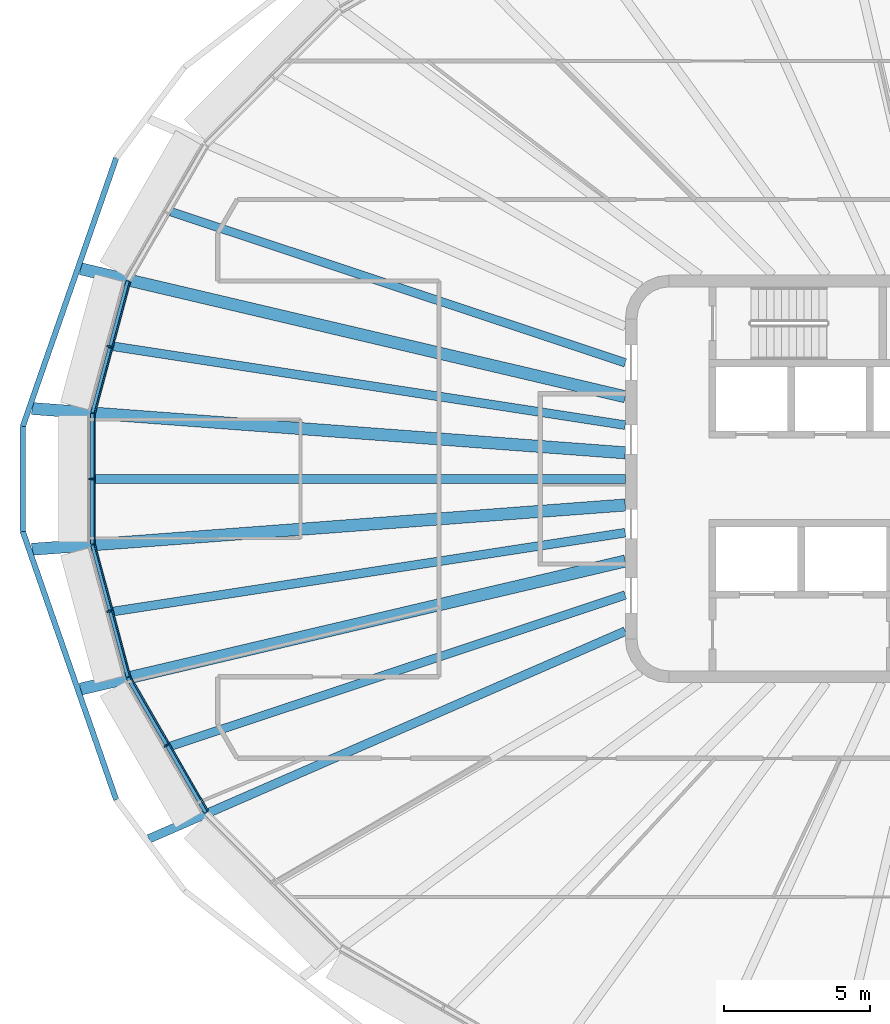
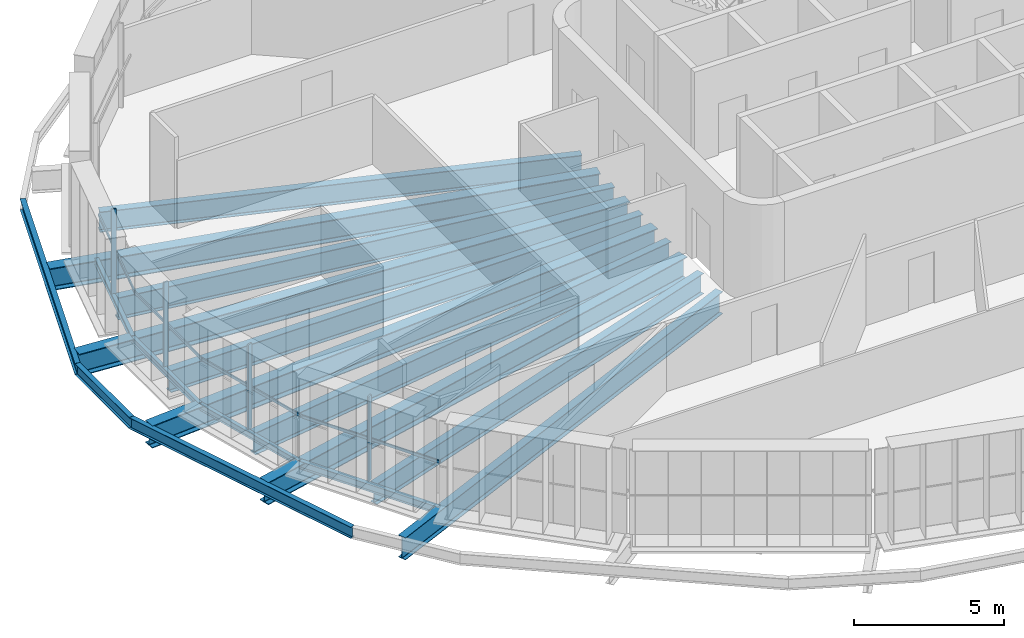
# One storey, part 2 of 20: 17 beams, 8 members, 4 elements without a shape of their own.
"""IFC4 building model written with IfcOpenShell, lengths in metres."""

from ifc_helpers import new_model, si_unit, direction, frame, origin, origin_2d, place, context, subcontext, project, spatial, rectangle, i_section, extrude, material, layer, layer_set, material_profile, profile_set, type_object, element, aggregate, save


model = new_model("IFC4")

# Units and contexts
model_context = context("Model", 3, precision=1e-05, world=origin(), true_north=direction((0.0, 1.0)))
body_context = subcontext(model_context, "Body", "Model", "MODEL_VIEW")
ifc_project = project(units=[si_unit("LENGTHUNIT", "METRE"), si_unit("AREAUNIT", "SQUARE_METRE"), si_unit("VOLUMEUNIT", "CUBIC_METRE"), si_unit("PLANEANGLEUNIT", "RADIAN"), si_unit("MASSUNIT", "GRAM", prefix="KILO")], contexts=[model_context])

# Site, building, storey
site_placement = place(None, origin())
site = spatial("IfcSite", under=ifc_project, at=site_placement, CompositionType="ELEMENT")
building_placement = place(site_placement, origin())
building = spatial("IfcBuilding", under=site, at=building_placement, Name="Sahrelin Media Tower", CompositionType="ELEMENT")
storey_placement = place(building_placement, frame((0.0, 0.0, 245.60009765625)))
storey = spatial("IfcBuildingStorey", under=building, at=storey_placement, Name="L53", CompositionType="ELEMENT", Elevation=245.60009765625)

# Beams
ifc_material_1 = material(Name="Steel S355", Category="steel")
ifc_material_profile_1 = material_profile(ifc_material_1, i_section(OverallWidth=0.14599609375, OverallDepth=0.25146484375, WebThickness=0.006103515625, FlangeThickness=0.008544921875, FilletRadius=0.007568359375, at=origin_2d()), Name="UB 254x146x31")
ifc_profile_set_1 = profile_set([ifc_material_profile_1], Name="Steel S355")
beam_type_1 = type_object("IfcBeamType", Name="Edge beam EB1", PredefinedType="BEAM", material=ifc_profile_set_1)
beam_1_placement = place(storey_placement, frame((-29.082763671875, -6.798095703125, -0.27587890625), z_axis=(-0.258770785767, 0.965938756047, 0.0), x_axis=(-0.965938756047, -0.258770785767, 0.0)))
element("IfcBeam", 1, at=beam_1_placement, inside=storey, type_object=beam_type_1, Name="Edge beam L53-12", PredefinedType="BEAM", context=body_context, shape_type="SweptSolid", body=[
    extrude(i_section(OverallWidth=0.14599609375, OverallDepth=0.25146484375, WebThickness=0.006103515625, FlangeThickness=0.008544921875, FilletRadius=0.007568359375, at=origin_2d()), origin(), (0.0, 0.0, 1.0), 4.68896484375),
])
beam_2_placement = place(storey_placement, frame((-30.300048828125, -2.240234375, -0.27587890625), z_axis=(0.0, 1.0, 0.0), x_axis=(-1.0, 0.0, 0.0)))
element("IfcBeam", 2, at=beam_2_placement, inside=storey, type_object=beam_type_1, Name="Edge beam L53-13", PredefinedType="BEAM", context=body_context, shape_type="SweptSolid", body=[
    extrude(i_section(OverallWidth=0.14599609375, OverallDepth=0.25146484375, WebThickness=0.006103515625, FlangeThickness=0.008544921875, FilletRadius=0.007568359375, at=origin_2d()), origin(), (0.0, 0.0, 1.0), 4.48046875),
])
beam_3_placement = place(storey_placement, frame((-30.296142578125, 2.268798828125, -0.27587890625), z_axis=(0.258770785767, 0.965938756047, 0.0), x_axis=(-0.965938756047, 0.258770785767, 0.0)))
element("IfcBeam", 3, at=beam_3_placement, inside=storey, type_object=beam_type_1, Name="Edge beam L53-14", PredefinedType="BEAM", context=body_context, shape_type="SweptSolid", body=[
    extrude(i_section(OverallWidth=0.14599609375, OverallDepth=0.25146484375, WebThickness=0.006103515625, FlangeThickness=0.008544921875, FilletRadius=0.007568359375, at=origin_2d()), origin(), (0.0, 0.0, 1.0), 4.68896484375),
])
ifc_material_profile_2 = material_profile(ifc_material_1, i_section(OverallWidth=0.1650390625, OverallDepth=0.303466796875, WebThickness=0.006103515625, FlangeThickness=0.01025390625, FilletRadius=0.0087890625, at=origin_2d()), Name="UB 305x165x40")
ifc_profile_set_2 = profile_set([ifc_material_profile_2], Name="Steel S355")
beam_type_2 = type_object("IfcBeamType", Name="Edge beam EB2", PredefinedType="BEAM", material=ifc_profile_set_2)
beam_4_placement = place(storey_placement, frame((-26.399169921875, -11.453369140625, -0.3017578125), z_axis=(-0.500034814518, 0.86600530268, 0.0), x_axis=(-0.86600530268, -0.500034814518, 0.0)))
element("IfcBeam", 4, at=beam_4_placement, inside=storey, type_object=beam_type_2, Name="Edge beam L53-11", PredefinedType="BEAM", context=body_context, shape_type="SweptSolid", body=[
    extrude(i_section(OverallWidth=0.1650390625, OverallDepth=0.303466796875, WebThickness=0.006103515625, FlangeThickness=0.01025390625, FilletRadius=0.0087890625, at=origin_2d()), origin(), (0.0, 0.0, 1.0), 5.3447265625),
])

# Curtain wall, member
ifc_material_2 = material(Name="Champagne anodised aluminium 6063-T6", Category="aluminium")
ifc_layer = layer(ifc_material_2, 0.14990234375)
ifc_layer_set = layer_set([ifc_layer], Name="Tower ribbon curtain wall")
curtain_wall_type = type_object("IfcCurtainWallType", Name="Tower ribbon curtain wall", PredefinedType="NOTDEFINED", material=ifc_layer_set)
curtain_wall_1_placement = place(storey_placement, frame((-29.83447265625, 4.572265625, 0.0), z_axis=(0.0, 0.0, 1.0), x_axis=(1.0, 0.0, 0.0)))
curtain_wall_1 = element("IfcCurtainWall", 5, at=curtain_wall_1_placement, inside=storey, type_object=curtain_wall_type, Name="L53:CW:L53-11", PredefinedType="NOTDEFINED")
ifc_material_profile_3 = material_profile(ifc_material_2, rectangle(XDim=0.06005859375, YDim=0.175048828125, at=origin_2d()), Name="Mullion 60x175")
ifc_profile_set_3 = profile_set([ifc_material_profile_3], Name="Champagne anodised aluminium 6063-T6")
member_type_1 = type_object("IfcMemberType", Name="Mullion 60x175 CW1B", PredefinedType="MULLION", material=ifc_profile_set_3)
member_1_placement = place(storey_placement, frame((-29.73046875, 4.54443359375, 0.0), z_axis=(0.0, 0.0, 1.0), x_axis=(-0.258812301662, -0.965927633163, 0.0)))
member_1 = element("IfcMember", 6, at=member_1_placement, type_object=member_type_1, Name="L53:CWM:L53-11", PredefinedType="MULLION", context=body_context, shape_type="SweptSolid", body=[
    extrude(rectangle(XDim=0.06005859375, YDim=0.175048828125, at=origin_2d()), origin(), (0.0, 0.0, 1.0), 3.448486328125),
])

curtain_wall_2_placement = place(storey_placement, frame((-30.449951171875, 0.0, 0.0), z_axis=(0.0, 0.0, 1.0), x_axis=(1.0, 0.0, 0.0)))
curtain_wall_2 = element("IfcCurtainWall", 7, at=curtain_wall_2_placement, inside=storey, type_object=curtain_wall_type, Name="L53:CW:L53-12", PredefinedType="NOTDEFINED")
member_2_placement = place(storey_placement, frame((-30.342529296875, 0.0, 0.0), z_axis=(0.0, 0.0, 1.0), x_axis=(0.0, -1.0, 0.0)))
member_2 = element("IfcMember", 8, at=member_2_placement, type_object=member_type_1, Name="L53:CWM:L53-12", PredefinedType="MULLION", context=body_context, shape_type="SweptSolid", body=[
    extrude(rectangle(XDim=0.06005859375, YDim=0.175048828125, at=origin_2d()), origin(), (0.0, 0.0, 1.0), 3.448486328125),
])

curtain_wall_3_placement = place(storey_placement, frame((-29.834228515625, -4.572265625, 0.0), z_axis=(0.0, 0.0, 1.0), x_axis=(1.0, 0.0, 0.0)))
curtain_wall_3 = element("IfcCurtainWall", 9, at=curtain_wall_3_placement, inside=storey, type_object=curtain_wall_type, Name="L53:CW:L53-13", PredefinedType="NOTDEFINED")
member_3_placement = place(storey_placement, frame((-29.73046875, -4.54443359375, 0.0), z_axis=(0.0, 0.0, 1.0), x_axis=(0.258812301662, -0.965927633163, 0.0)))
member_3 = element("IfcMember", 10, at=member_3_placement, type_object=member_type_1, Name="L53:CWM:L53-13", PredefinedType="MULLION", context=body_context, shape_type="SweptSolid", body=[
    extrude(rectangle(XDim=0.06005859375, YDim=0.175048828125, at=origin_2d()), origin(), (0.0, 0.0, 1.0), 3.448486328125),
])

curtain_wall_4_placement = place(storey_placement, frame((-27.865234375, -9.214111328125, 0.0), z_axis=(0.0, 0.0, 1.0), x_axis=(1.0, 0.0, 0.0)))
curtain_wall_4 = element("IfcCurtainWall", 11, at=curtain_wall_4_placement, inside=storey, type_object=curtain_wall_type, Name="L53:CW:L53-14", PredefinedType="NOTDEFINED")
member_4_placement = place(storey_placement, frame((-27.772216796875, -9.16015625, 0.0), z_axis=(0.0, 0.0, 1.0), x_axis=(0.500009068969, -0.866020167749, 0.0)))
member_4 = element("IfcMember", 12, at=member_4_placement, type_object=member_type_1, Name="L53:CWM:L53-14", PredefinedType="MULLION", context=body_context, shape_type="SweptSolid", body=[
    extrude(rectangle(XDim=0.06005859375, YDim=0.175048828125, at=origin_2d()), origin(), (0.0, 0.0, 1.0), 3.448486328125),
])

# Beams
ifc_material_profile_4 = material_profile(ifc_material_1, i_section(OverallWidth=0.30322265625, OverallDepth=0.903076171875, WebThickness=0.01513671875, FlangeThickness=0.020263671875, FilletRadius=0.01904296875, at=origin_2d()), Name="UB 914x305x201")
ifc_profile_set_4 = profile_set([ifc_material_profile_4], Name="Steel S355")
beam_type_3 = type_object("IfcBeamType", Name="Radial primary beam PB11", PredefinedType="BEAM", material=ifc_profile_set_4)
beam_5_placement = place(storey_placement, frame((-12.0, -5.2314453125, -0.6015625), z_axis=(-0.916673104174, -0.399637861174, 0.0), x_axis=(0.399637861174, -0.916673104174, 0.0)))
element("IfcBeam", 13, at=beam_5_placement, inside=storey, type_object=beam_type_3, Name="Radial beam L53-15", PredefinedType="BEAM", context=body_context, shape_type="SweptSolid", body=[
    extrude(i_section(OverallWidth=0.30322265625, OverallDepth=0.903076171875, WebThickness=0.01513671875, FlangeThickness=0.020263671875, FilletRadius=0.01904296875, at=origin_2d()), origin(), (0.0, 0.0, 1.0), 17.85546875),
])
ifc_material_profile_5 = material_profile(ifc_material_1, i_section(OverallWidth=0.41845703125, OverallDepth=0.911865234375, WebThickness=0.019287109375, FlangeThickness=0.031982421875, FilletRadius=0.024169921875, at=origin_2d()), Name="UB 914x419x343")
ifc_profile_set_5 = profile_set([ifc_material_profile_5], Name="Steel S355")
beam_type_4 = type_object("IfcBeamType", Name="Radial primary beam PB12", PredefinedType="BEAM", material=ifc_profile_set_5)
beam_6_placement = place(storey_placement, frame((-12.0, 2.8212890625, -0.60595703125), z_axis=(-0.973453626773, 0.228884330006, 0.0), x_axis=(-0.228884330006, -0.973453626773, 0.0)))
element("IfcBeam", 14, at=beam_6_placement, inside=storey, type_object=beam_type_4, Name="Radial beam L53-11", PredefinedType="BEAM", context=body_context, shape_type="SweptSolid", body=[
    extrude(i_section(OverallWidth=0.41845703125, OverallDepth=0.911865234375, WebThickness=0.019287109375, FlangeThickness=0.031982421875, FilletRadius=0.024169921875, at=origin_2d()), origin(), (0.0, 0.0, 1.0), 19.2265625),
])
for number, where, z_axis, x_axis, name in (
    (15, (-12.0, 0.896484375, -0.60595703125), (-0.997222639214, 0.074478237346, 0.0), (-0.074478237346, -0.997222639214, 0.0), "Radial beam L53-12"),
    (16, (-12.0, -0.896484375, -0.60595703125), (-0.997222639214, -0.074478237346, 0.0), (0.074478237346, -0.997222639214, 0.0), "Radial beam L53-13"),
):
    element("IfcBeam", number, at=place(storey_placement, frame(where, z_axis=z_axis, x_axis=x_axis)), inside=storey, type_object=beam_type_4, Name=name, PredefinedType="BEAM", context=body_context, shape_type="SweptSolid", body=[
        extrude(i_section(OverallWidth=0.41845703125, OverallDepth=0.911865234375, WebThickness=0.019287109375, FlangeThickness=0.031982421875, FilletRadius=0.024169921875, at=origin_2d()), origin(), (0.0, 0.0, 1.0), 20.445068359375),
    ])
beam_7_placement = place(storey_placement, frame((-12.0, -2.8212890625, -0.60595703125), z_axis=(-0.973453626773, -0.228884330006, 0.0), x_axis=(0.228884330006, -0.973453626773, 0.0)))
element("IfcBeam", 17, at=beam_7_placement, inside=storey, type_object=beam_type_4, Name="Radial beam L53-14", PredefinedType="BEAM", context=body_context, shape_type="SweptSolid", body=[
    extrude(i_section(OverallWidth=0.41845703125, OverallDepth=0.911865234375, WebThickness=0.019287109375, FlangeThickness=0.031982421875, FilletRadius=0.024169921875, at=origin_2d()), origin(), (0.0, 0.0, 1.0), 19.2265625),
])
ifc_material_profile_6 = material_profile(ifc_material_1, i_section(OverallWidth=0.291748046875, OverallDepth=0.8349609375, WebThickness=0.013916015625, FlangeThickness=0.018798828125, FilletRadius=0.017822265625, at=origin_2d()), Name="UB 838x292x176")
ifc_profile_set_6 = profile_set([ifc_material_profile_6], Name="Steel S355")
beam_type_5 = type_object("IfcBeamType", Name="Radial secondary beam SB10", PredefinedType="BEAM", material=ifc_profile_set_6)
for number, where, z_axis, x_axis, name in (
    (18, (-12.0, 3.990234375, -0.567626953125), (-0.948913009395, 0.315537795835, 0.0), (-0.315537795835, -0.948913009395, 0.0), "Secondary beam L53-10"),
    (19, (-12.0, -3.990234375, -0.567626953125), (-0.948913009395, -0.315537795835, 0.0), (0.315537795835, -0.948913009395, 0.0), "Secondary beam L53-14"),
):
    element("IfcBeam", number, at=place(storey_placement, frame(where, z_axis=z_axis, x_axis=x_axis)), inside=storey, type_object=beam_type_5, Name=name, PredefinedType="BEAM", context=body_context, shape_type="SweptSolid", body=[
        extrude(i_section(OverallWidth=0.291748046875, OverallDepth=0.8349609375, WebThickness=0.013916015625, FlangeThickness=0.018798828125, FilletRadius=0.017822265625, at=origin_2d()), origin(), (0.0, 0.0, 1.0), 16.45556640625),
    ])
ifc_material_profile_7 = material_profile(ifc_material_1, i_section(OverallWidth=0.30322265625, OverallDepth=0.903076171875, WebThickness=0.01513671875, FlangeThickness=0.020263671875, FilletRadius=0.01904296875, at=origin_2d()), Name="UB 914x305x201")
ifc_profile_set_7 = profile_set([ifc_material_profile_7], Name="Steel S355")
beam_type_6 = type_object("IfcBeamType", Name="Radial secondary beam SB11", PredefinedType="BEAM", material=ifc_profile_set_7)
beam_8_placement = place(storey_placement, frame((-12.0, 1.847412109375, -0.6015625), z_axis=(-0.988358068544, 0.152145747046, 0.0), x_axis=(-0.152145747046, -0.988358068544, 0.0)))
element("IfcBeam", 20, at=beam_8_placement, inside=storey, type_object=beam_type_6, Name="Secondary beam L53-11", PredefinedType="BEAM", context=body_context, shape_type="SweptSolid", body=[
    extrude(i_section(OverallWidth=0.30322265625, OverallDepth=0.903076171875, WebThickness=0.01513671875, FlangeThickness=0.020263671875, FilletRadius=0.01904296875, at=origin_2d()), origin(), (0.0, 0.0, 1.0), 17.81494140625),
])
beam_9_placement = place(storey_placement, frame((-12.0, 0.0, -0.6015625), z_axis=(-1.0, 0.0, 0.0), x_axis=(0.0, -1.0, 0.0)))
element("IfcBeam", 21, at=beam_9_placement, inside=storey, type_object=beam_type_6, Name="Secondary beam L53-12", PredefinedType="BEAM", context=body_context, shape_type="SweptSolid", body=[
    extrude(i_section(OverallWidth=0.30322265625, OverallDepth=0.903076171875, WebThickness=0.01513671875, FlangeThickness=0.020263671875, FilletRadius=0.01904296875, at=origin_2d()), origin(), (0.0, 0.0, 1.0), 18.22705078125),
])
beam_10_placement = place(storey_placement, frame((-12.0, -1.847412109375, -0.6015625), z_axis=(-0.988358068544, -0.152145747046, 0.0), x_axis=(0.152145747046, -0.988358068544, 0.0)))
element("IfcBeam", 22, at=beam_10_placement, inside=storey, type_object=beam_type_6, Name="Secondary beam L53-13", PredefinedType="BEAM", context=body_context, shape_type="SweptSolid", body=[
    extrude(i_section(OverallWidth=0.30322265625, OverallDepth=0.903076171875, WebThickness=0.01513671875, FlangeThickness=0.020263671875, FilletRadius=0.01904296875, at=origin_2d()), origin(), (0.0, 0.0, 1.0), 17.81494140625),
])
ifc_material_profile_8 = material_profile(ifc_material_1, i_section(OverallWidth=0.1904296875, OverallDepth=0.45703125, WebThickness=0.009033203125, FlangeThickness=0.014404296875, FilletRadius=0.01025390625, at=origin_2d()), Name="UB 457x191x74")
ifc_profile_set_8 = profile_set([ifc_material_profile_8], Name="Steel S355")
beam_type_7 = type_object("IfcBeamType", Name="Tie chord TC5", PredefinedType="BEAM", material=ifc_profile_set_8)
beam_11_placement = place(storey_placement, frame((-29.49267578125, 11.02587890625, -0.378662109375), z_axis=(-0.328790124037, -0.944403014785, 0.0), x_axis=(0.944403014785, -0.328790124037, 0.0)))
element("IfcBeam", 23, at=beam_11_placement, inside=storey, type_object=beam_type_7, Name="Tie chord L53-11", PredefinedType="BEAM", context=body_context, shape_type="SweptSolid", body=[
    extrude(i_section(OverallWidth=0.1904296875, OverallDepth=0.45703125, WebThickness=0.009033203125, FlangeThickness=0.014404296875, FilletRadius=0.01025390625, at=origin_2d()), origin(), (0.0, 0.0, 1.0), 9.767333984375),
])
beam_12_placement = place(storey_placement, frame((-32.7041015625, 1.801513671875, -0.378662109375), z_axis=(0.0, -1.0, 0.0), x_axis=(1.0, 0.0, 0.0)))
element("IfcBeam", 24, at=beam_12_placement, inside=storey, type_object=beam_type_7, Name="Tie chord L53-12", PredefinedType="BEAM", context=body_context, shape_type="SweptSolid", body=[
    extrude(i_section(OverallWidth=0.1904296875, OverallDepth=0.45703125, WebThickness=0.009033203125, FlangeThickness=0.014404296875, FilletRadius=0.01025390625, at=origin_2d()), origin(), (0.0, 0.0, 1.0), 3.60302734375),
])
beam_13_placement = place(storey_placement, frame((-32.7041015625, -1.801513671875, -0.378662109375), z_axis=(0.328790124037, -0.944403014785, 0.0), x_axis=(0.944403014785, 0.328790124037, 0.0)))
element("IfcBeam", 25, at=beam_13_placement, inside=storey, type_object=beam_type_7, Name="Tie chord L53-13", PredefinedType="BEAM", context=body_context, shape_type="SweptSolid", body=[
    extrude(i_section(OverallWidth=0.1904296875, OverallDepth=0.45703125, WebThickness=0.009033203125, FlangeThickness=0.014404296875, FilletRadius=0.01025390625, at=origin_2d()), origin(), (0.0, 0.0, 1.0), 9.767333984375),
])

# Member
ifc_material_profile_9 = material_profile(ifc_material_2, rectangle(XDim=0.050048828125, YDim=0.110107421875, at=origin_2d()), Name="Transom 50x110")
ifc_profile_set_9 = profile_set([ifc_material_profile_9], Name="Champagne anodised aluminium 6063-T6")
member_type_2 = type_object("IfcMemberType", Name="Transom 50x110 CW1B", PredefinedType="USERDEFINED", material=ifc_profile_set_9)
member_5_placement = place(storey_placement, frame((-29.01904296875, 6.7646484375, 1.599853515625), z_axis=(-0.258843509974, -0.965919270614, 0.0), x_axis=(0.965919270614, -0.258843509974, 0.0)))
member_5 = element("IfcMember", 26, at=member_5_placement, type_object=member_type_2, Name="L53:CWT:L53-11", ObjectType="TRANSOM", PredefinedType="USERDEFINED", context=body_context, shape_type="SweptSolid", body=[
    extrude(rectangle(XDim=0.050048828125, YDim=0.110107421875, at=origin_2d()), origin(), (0.0, 0.0, 1.0), 4.657470703125),
])

aggregate(curtain_wall_1, [member_1, member_5])

member_6_placement = place(storey_placement, frame((-30.22998046875, 2.224609375, 1.599853515625), z_axis=(0.0, -1.0, 0.0), x_axis=(1.0, 0.0, 0.0)))
member_6 = element("IfcMember", 27, at=member_6_placement, type_object=member_type_2, Name="L53:CWT:L53-12", ObjectType="TRANSOM", PredefinedType="USERDEFINED", context=body_context, shape_type="SweptSolid", body=[
    extrude(rectangle(XDim=0.050048828125, YDim=0.110107421875, at=origin_2d()), origin(), (0.0, 0.0, 1.0), 4.44921875),
])

aggregate(curtain_wall_2, [member_2, member_6])

member_7_placement = place(storey_placement, frame((-30.224609375, -2.265869140625, 1.599853515625), z_axis=(0.258843509974, -0.965919270614, 0.0), x_axis=(0.965919270614, 0.258843509974, 0.0)))
member_7 = element("IfcMember", 28, at=member_7_placement, type_object=member_type_2, Name="L53:CWT:L53-13", ObjectType="TRANSOM", PredefinedType="USERDEFINED", context=body_context, shape_type="SweptSolid", body=[
    extrude(rectangle(XDim=0.050048828125, YDim=0.110107421875, at=origin_2d()), origin(), (0.0, 0.0, 1.0), 4.657470703125),
])

aggregate(curtain_wall_3, [member_3, member_7])

member_8_placement = place(storey_placement, frame((-29.003173828125, -6.80322265625, 1.599853515625), z_axis=(0.500003519352, -0.866023371876, 0.0), x_axis=(0.866023371876, 0.500003519352, 0.0)))
member_8 = element("IfcMember", 29, at=member_8_placement, type_object=member_type_2, Name="L53:CWT:L53-14", ObjectType="TRANSOM", PredefinedType="USERDEFINED", context=body_context, shape_type="SweptSolid", body=[
    extrude(rectangle(XDim=0.050048828125, YDim=0.110107421875, at=origin_2d()), origin(), (0.0, 0.0, 1.0), 5.3134765625),
])

aggregate(curtain_wall_4, [member_4, member_8])

save(model, "model.ifc")
